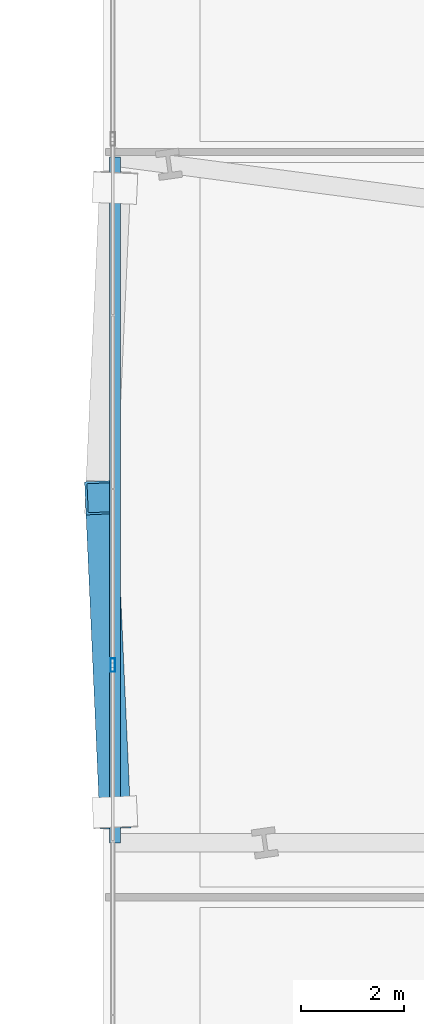
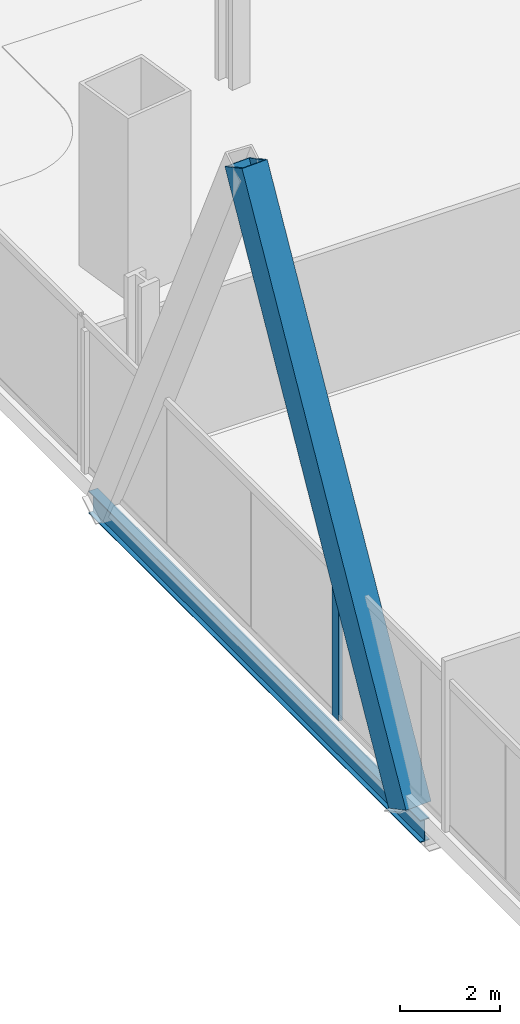
# One storey, part 6 of 29: 2 members, 1 beam, 1 element without a shape of its own.
"""IFC4 building model written with IfcOpenShell, lengths in metres."""

from ifc_helpers import new_model, si_unit, direction, frame, origin, origin_2d, place, context, subcontext, project, spatial, hollow_rectangle, i_section, extrude, material, material_profile, profile_set, type_object, element, aggregate, save


model = new_model("IFC4")

# Units and contexts
model_context = context("Model", 3, precision=1e-05, world=origin(), true_north=direction((0.0, 1.0)))
body_context = subcontext(model_context, "Body", "Model", "MODEL_VIEW")
ifc_project = project(units=[si_unit("LENGTHUNIT", "METRE"), si_unit("AREAUNIT", "SQUARE_METRE"), si_unit("VOLUMEUNIT", "CUBIC_METRE"), si_unit("PLANEANGLEUNIT", "RADIAN"), si_unit("MASSUNIT", "GRAM", prefix="KILO")], contexts=[model_context])

# Site, building, storey
site_placement = place(None, origin())
site = spatial("IfcSite", under=ifc_project, at=site_placement, CompositionType="ELEMENT")
building_placement = place(site_placement, origin())
building = spatial("IfcBuilding", under=site, at=building_placement, Name="Haldenkirk Collegiate Tower", CompositionType="ELEMENT")
storey_placement = place(building_placement, frame((0.0, 0.0, 28.199951171875)))
storey = spatial("IfcBuildingStorey", under=building, at=storey_placement, Name="L05", CompositionType="ELEMENT", Elevation=28.199951171875)

# Beam
ifc_material_1 = material(Name="Steel ASTM A992 Grade 50", Category="steel")
ifc_material_profile_1 = material_profile(ifc_material_1, i_section(OverallWidth=0.2119140625, OverallDepth=0.5439453125, WebThickness=0.01318359375, FlangeThickness=0.021240234375, at=origin_2d()), Name="W21X83")
ifc_profile_set_1 = profile_set([ifc_material_profile_1], Name="Steel ASTM A992 Grade 50")
beam_type = type_object("IfcBeamType", Name="BM-SPANDREL-W21X83", PredefinedType="SPANDREL", material=ifc_profile_set_1)
beam_placement = place(storey_placement, frame((9.219970703125, 36.351318359375, -0.681884765625), z_axis=(0.0, -1.0, 0.0), x_axis=(1.0, 0.0, 0.0)))
element("IfcBeam", 1, at=beam_placement, inside=storey, type_object=beam_type, Name="L05 outer facade edge beam 4", PredefinedType="SPANDREL", context=body_context, shape_type="SweptSolid", body=[
    extrude(i_section(OverallWidth=0.2119140625, OverallDepth=0.5439453125, WebThickness=0.01318359375, FlangeThickness=0.021240234375, at=origin_2d()), origin(), (0.0, 0.0, 1.0), 13.29833984375),
])

# Curtain wall, member
ifc_material_2 = material(Name="Anodised architectural bronze aluminium", Category="aluminium")
curtain_wall_type = type_object("IfcCurtainWallType", Name="CW-SYS4-SKYGARDEN", PredefinedType="USERDEFINED", material=ifc_material_2)
curtain_wall_placement = place(storey_placement, origin())
curtain_wall = element("IfcCurtainWall", 2, at=curtain_wall_placement, inside=storey, type_object=curtain_wall_type, Name="L05 Sky-garden tall bronze curtain wall", ObjectType="UNITISED CURTAIN WALL", PredefinedType="USERDEFINED")
ifc_material_profile_2 = material_profile(ifc_material_2, hollow_rectangle(XDim=0.090087890625, YDim=0.260009765625, WallThickness=0.0048828125, at=origin_2d()), Name="CW-MUL-04")
ifc_profile_set_2 = profile_set([ifc_material_profile_2], Name="Anodised architectural bronze aluminium")
member_type_1 = type_object("IfcMemberType", Name="CW-MUL-04", PredefinedType="MULLION", material=ifc_profile_set_2)
member_1_placement = place(storey_placement, frame((9.179931640625, 26.5, 0.0), z_axis=(0.0, 0.0, 1.0), x_axis=(-1.0, 0.0, 0.0)))
member_1 = element("IfcMember", 3, at=member_1_placement, type_object=member_type_1, Name="CW-04 mullion 3", PredefinedType="MULLION", context=body_context, shape_type="SweptSolid", body=[
    extrude(hollow_rectangle(XDim=0.090087890625, YDim=0.260009765625, WallThickness=0.0048828125, at=origin_2d()), origin(), (0.0, 0.0, 1.0), 3.64111328125),
])
aggregate(curtain_wall, [member_1])

# Member
ifc_material_3 = material(Name="Steel ASTM A572 Grade 50", Category="steel")
ifc_material_profile_3 = material_profile(ifc_material_3, hollow_rectangle(XDim=0.60009765625, YDim=0.719970703125, WallThickness=0.044921875, at=origin_2d()), Name="BOX720X600X45")
ifc_profile_set_3 = profile_set([ifc_material_profile_3], Name="Steel ASTM A572 Grade 50")
member_type_2 = type_object("IfcMemberType", Name="MBR-MEGABRACE-BOX720X600X45", PredefinedType="BRACE", material=ifc_profile_set_3)
member_2_placement = place(storey_placement, frame((9.219970703125, 23.65283203125, -0.419921875), z_axis=(-0.02025091262, 0.449736014966, 0.89293192203), x_axis=(-0.998987758676, -0.044982863583, 0.0)))
element("IfcMember", 4, at=member_2_placement, inside=storey, type_object=member_type_2, Name="Perimeter Mega Brace Z1 L05-L07 WR", PredefinedType="BRACE", context=body_context, shape_type="SweptSolid", body=[
    extrude(hollow_rectangle(XDim=0.60009765625, YDim=0.719970703125, WallThickness=0.044921875, at=origin_2d()), origin(), (0.0, 0.0, 1.0), 13.55078125),
])

save(model, "model.ifc")
